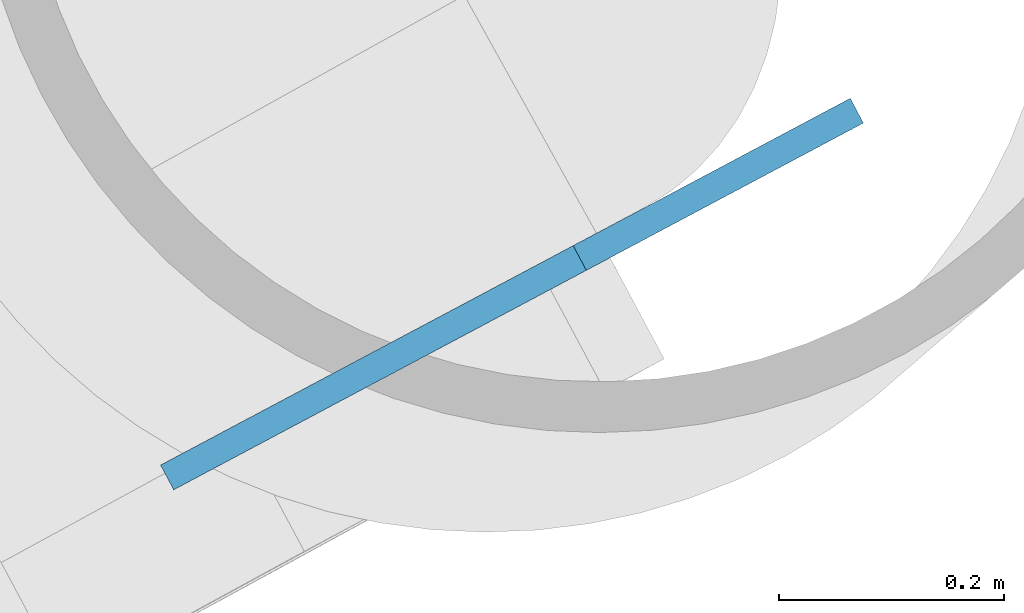
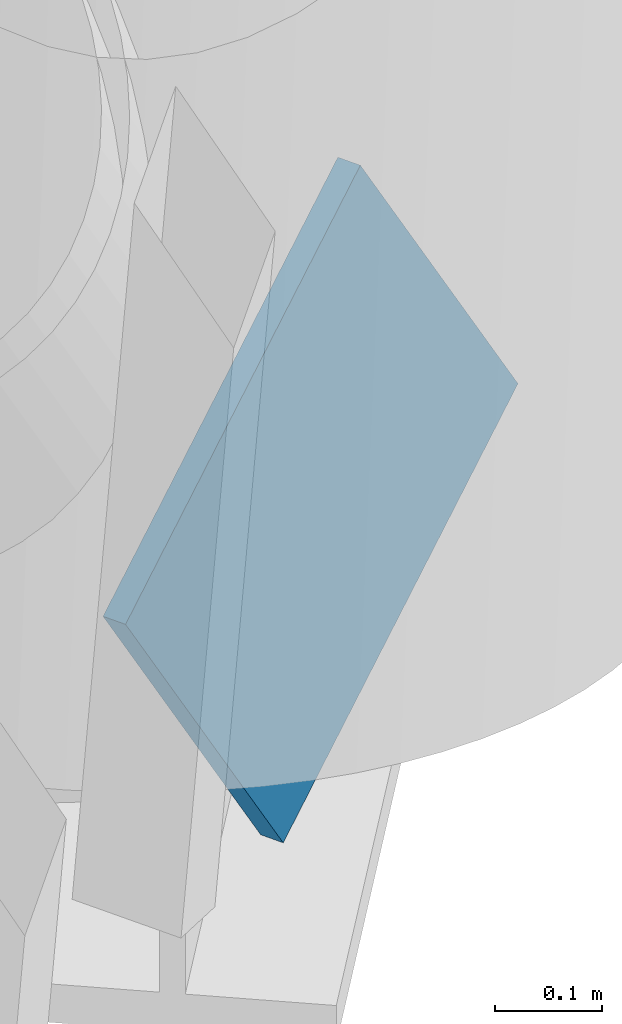
# One storey, part 14 of 24: 1 discrete accessory.
"""IFC4 building model written with IfcOpenShell, lengths in metres."""

import ifcopenshell
import ifcopenshell.guid

model = None  # the IFC model being written
_history = None  # IfcOwnerHistory: only IFC2X3 demands one
_inside = {}  # id of a spatial element -> (the spatial element, [elements in it])
_under = {}  # id of a project, library or spatial element -> (it, [spatial elements below it])
_declared = {}  # id of a project -> (the project, [libraries it declares])
_typed = {}  # id of a type object -> (the type object, [elements of that type])
_made_of = {}  # id of a material, layer set ... -> (it, [elements and type objects made of it])


def new_model(schema):
    """Start an empty IFC model of exactly this schema.

    Asked for "IFC4X3", IfcOpenShell would pick the latest addendum, in which some entities
    have other attributes; the version numbers below select the first issue.
    IFC2X3 requires an IfcOwnerHistory on every rooted entity: one is made here for all.
    """
    global model, _history
    if schema == "IFC4X3":
        model = ifcopenshell.file(schema_version=(4, 3, 0, 0))
    else:
        model = ifcopenshell.file(schema=schema)
    _inside.clear()
    _under.clear()
    _declared.clear()
    _typed.clear()
    _made_of.clear()
    _history = None
    if model.schema == "IFC2X3":
        org = make("IfcOrganization", Name="unknown")
        user = make(
            "IfcPersonAndOrganization",
            ThePerson=make("IfcPerson", FamilyName="unknown"),
            TheOrganization=org,
        )
        app = make(
            "IfcApplication",
            ApplicationDeveloper=org,
            Version="unknown",
            ApplicationFullName="unknown",
            ApplicationIdentifier="unknown",
        )
        _history = make(
            "IfcOwnerHistory",
            OwningUser=user,
            OwningApplication=app,
            ChangeAction="ADDED",
            CreationDate=0,
        )
    return model


def make(cls, **values):
    """One entity of the class cls with the attributes given. An attribute that is None is left unset."""
    return model.create_entity(
        cls, **{name: value for name, value in values.items() if value is not None}
    )


def rooted(cls, **values):
    """An entity with a GlobalId (a new one), such as an element, a storey or a relation."""
    return make(cls, GlobalId=ifcopenshell.guid.new(), OwnerHistory=_history, **values)


def si_unit(unit_type, name, prefix=None):
    """IfcSIUnit, for example si_unit("LENGTHUNIT", "METRE", prefix="MILLI")."""
    return make("IfcSIUnit", UnitType=unit_type, Prefix=prefix, Name=name)


def assignment(units):
    """IfcUnitAssignment: the units of a project."""
    return None if units is None else make("IfcUnitAssignment", Units=units)


def point(xyz):
    """IfcCartesianPoint."""
    return None if xyz is None else make("IfcCartesianPoint", Coordinates=xyz)


def direction(xyz):
    """IfcDirection."""
    return None if xyz is None else make("IfcDirection", DirectionRatios=xyz)


def frame(location, z_axis=None, x_axis=None):
    """IfcAxis2Placement3D, a coordinate frame: its origin and axes. An axis left out is left unset."""
    return make(
        "IfcAxis2Placement3D",
        Location=point(location),
        Axis=direction(z_axis),
        RefDirection=direction(x_axis),
    )


def frame_2d(location, x_axis=None):
    """IfcAxis2Placement2D, a coordinate frame in the plane: its origin and x axis."""
    return make(
        "IfcAxis2Placement2D", Location=point(location), RefDirection=direction(x_axis)
    )


def origin():
    """The frame at (0, 0, 0) with its axes left unset."""
    return frame((0.0, 0.0, 0.0))


def origin_2d():
    """The frame at (0, 0) in the plane with its x axis left unset."""
    return frame_2d((0.0, 0.0))


def place(relative_to, where):
    """IfcLocalPlacement: puts the frame where relative to a parent placement (None: the world)."""
    return make(
        "IfcLocalPlacement", PlacementRelTo=relative_to, RelativePlacement=where
    )


def context(
    kind, dimensions, precision=None, world=None, true_north=None, identifier=None
):
    """IfcGeometricRepresentationContext, for example the 3D "Model" context."""
    return make(
        "IfcGeometricRepresentationContext",
        ContextIdentifier=identifier,
        ContextType=kind,
        CoordinateSpaceDimension=dimensions,
        Precision=precision,
        WorldCoordinateSystem=world,
        TrueNorth=true_north,
    )


def subcontext(parent, identifier, kind, view, scale=None):
    """IfcGeometricRepresentationSubContext, for example "Body" below "Model"."""
    return make(
        "IfcGeometricRepresentationSubContext",
        ContextIdentifier=identifier,
        ContextType=kind,
        ParentContext=parent,
        TargetScale=scale,
        TargetView=view,
    )


def project(units=None, contexts=None):
    """IfcProject with its units and contexts."""
    return rooted(
        "IfcProject",
        Name="project",
        RepresentationContexts=contexts,
        UnitsInContext=assignment(units),
    )


def spatial(cls, under=None, at=None, **own):
    """A site, building, storey or space (cls), placed at a placement, below another one or the project."""
    s = rooted(cls, ObjectPlacement=at, **own)
    if under is not None:
        _under.setdefault(under.id(), (under, []))[1].append(s)
    return s


def profile(cls, at=None, kind="AREA", **sizes):
    """A parametric profile (cls). Its sizes go by their IFC names, for example OverallWidth=200.0."""
    return make(cls, ProfileType=kind, Position=at, **sizes)


def rectangle(**sizes):
    """IfcRectangleProfileDef."""
    return profile("IfcRectangleProfileDef", **sizes)


def extrude(swept, where, along, depth):
    """IfcExtrudedAreaSolid: the profile swept, set in the frame where, extruded along a direction by depth."""
    return make(
        "IfcExtrudedAreaSolid",
        SweptArea=swept,
        Position=where,
        ExtrudedDirection=direction(along),
        Depth=depth,
    )


def shape(context_of_items, identifier, shape_type, items):
    """IfcShapeRepresentation: the items that make up one representation, for example the "Body"."""
    return make(
        "IfcShapeRepresentation",
        ContextOfItems=context_of_items,
        RepresentationIdentifier=identifier,
        RepresentationType=shape_type,
        Items=items,
    )


def material(Name=None, Category=None):
    """IfcMaterial."""
    return make("IfcMaterial", Name=Name, Category=Category)


def material_profile(
    of_material, cross_section, Name=None, Category=None, Priority=None
):
    """IfcMaterialProfile: a cross section and its material."""
    return make(
        "IfcMaterialProfile",
        Name=Name,
        Material=of_material,
        Profile=cross_section,
        Priority=Priority,
        Category=Category,
    )


def profile_set(profiles, Name=None, composite=None):
    """IfcMaterialProfileSet."""
    return make(
        "IfcMaterialProfileSet",
        Name=Name,
        MaterialProfiles=profiles,
        CompositeProfile=composite,
    )


def made_of(thing, what):
    """Note that an element or type object is made of a material, layer set ...; save() writes the relation."""
    if what is not None:
        _made_of.setdefault(what.id(), (what, []))[1].append(thing)
    return thing


def type_object(cls, material=None, **own):
    """A type object (cls), such as IfcWallType, which elements share."""
    return made_of(rooted(cls, **own), material)


def element(
    cls,
    number,
    at=None,
    inside=None,
    cuts=None,
    type_object=None,
    material=None,
    context=None,
    identifier="Body",
    shape_type=None,
    held_by="IfcProductDefinitionShape",
    body=None,
    shapes=None,
    **own,
):
    """One element of the class cls, such as IfcWall. Its Tag is "e" and its number.

    at: its placement. inside: the storey or other place that contains it. cuts: it is an
    opening in that element (IfcRelVoidsElement). A single representation is given by context,
    identifier, shape_type and body (its items); several are given by shapes. held_by: the class
    of the entity that holds the representations. save() writes the other relations.
    """
    e = rooted(cls, Tag="e%d" % number, ObjectPlacement=at, **own)
    if body is not None:
        shapes = [shape(context, identifier, shape_type, body)]
    if shapes is not None:
        e.Representation = make(held_by, Representations=shapes)
    if inside is not None:
        _inside.setdefault(inside.id(), (inside, []))[1].append(e)
    if cuts is not None:
        rooted(
            "IfcRelVoidsElement", RelatingBuildingElement=cuts, RelatedOpeningElement=e
        )
    if type_object is not None:
        _typed.setdefault(type_object.id(), (type_object, []))[1].append(e)
    return made_of(e, material)


def aggregate(whole, parts):
    """IfcRelAggregates: a whole, such as a stair, and the parts it consists of."""
    return rooted("IfcRelAggregates", RelatingObject=whole, RelatedObjects=parts)


def save(model, path):
    """Write the relations noted so far, then the file.

    IfcRelAggregates (storeys below a building ...), IfcRelContainedInSpatialStructure (elements
    in a storey), IfcRelDefinesByType, IfcRelAssociatesMaterial and IfcRelDeclares: one each for
    every whole, place, type object, material and project.
    """
    for whole, parts in _under.values():
        aggregate(whole, parts)
    for where, things in _inside.values():
        rooted(
            "IfcRelContainedInSpatialStructure",
            RelatedElements=things,
            RelatingStructure=where,
        )
    for kind, things in _typed.values():
        rooted("IfcRelDefinesByType", RelatedObjects=things, RelatingType=kind)
    for what, things in _made_of.values():
        rooted("IfcRelAssociatesMaterial", RelatedObjects=things, RelatingMaterial=what)
    for by, libraries in _declared.values():
        rooted("IfcRelDeclares", RelatingContext=by, RelatedDefinitions=libraries)
    model.write(path)


model = new_model("IFC4")

# Units and contexts
model_context = context("Model", 3, precision=1e-05, world=origin(), true_north=direction((0.0, 1.0)))
body_context = subcontext(model_context, "Body", "Model", "MODEL_VIEW")
ifc_project = project(units=[si_unit("LENGTHUNIT", "METRE"), si_unit("AREAUNIT", "SQUARE_METRE"), si_unit("VOLUMEUNIT", "CUBIC_METRE"), si_unit("PLANEANGLEUNIT", "RADIAN"), si_unit("MASSUNIT", "GRAM", prefix="KILO")], contexts=[model_context])

# Site, building, storey
site_placement = place(None, origin())
site = spatial("IfcSite", under=ifc_project, at=site_placement, CompositionType="ELEMENT")
building_placement = place(site_placement, origin())
building = spatial("IfcBuilding", under=site, at=building_placement, Name="Tarsis Ring Headquarters", CompositionType="ELEMENT")
storey_placement = place(building_placement, frame((0.0, 0.0, 163.199951171875)))
storey = spatial("IfcBuildingStorey", under=building, at=storey_placement, Name="L37", CompositionType="ELEMENT", Elevation=163.199951171875)

# Discrete accessory
ifc_material = material(Name="Structural steel S355", Category="steel")
ifc_material_profile = material_profile(ifc_material, rectangle(XDim=0.02490234375, YDim=0.5, at=origin_2d()), Name="PL 25x500")
ifc_profile_set = profile_set([ifc_material_profile], Name="Structural steel S355")
discrete_accessory_type = type_object("IfcDiscreteAccessoryType", Name="Gusset plate Exo brace 25", PredefinedType="BRACKET", material=ifc_profile_set)
discrete_accessory_placement = place(storey_placement, frame((18.942138671875, -22.430419921875, 0.0), z_axis=(-0.492043402953, -0.261642126967, 0.830323242483), x_axis=(0.469496755618, -0.882934197132, 0.0)))
element("IfcDiscreteAccessory", 1, at=discrete_accessory_placement, inside=storey, type_object=discrete_accessory_type, Name="Gusset plate GP5", PredefinedType="BRACKET", context=body_context, shape_type="SweptSolid", body=[
    extrude(rectangle(XDim=0.02490234375, YDim=0.5, at=origin_2d()), origin(), (0.0, 0.0, 1.0), 0.500244140625),
])

save(model, "model.ifc")
